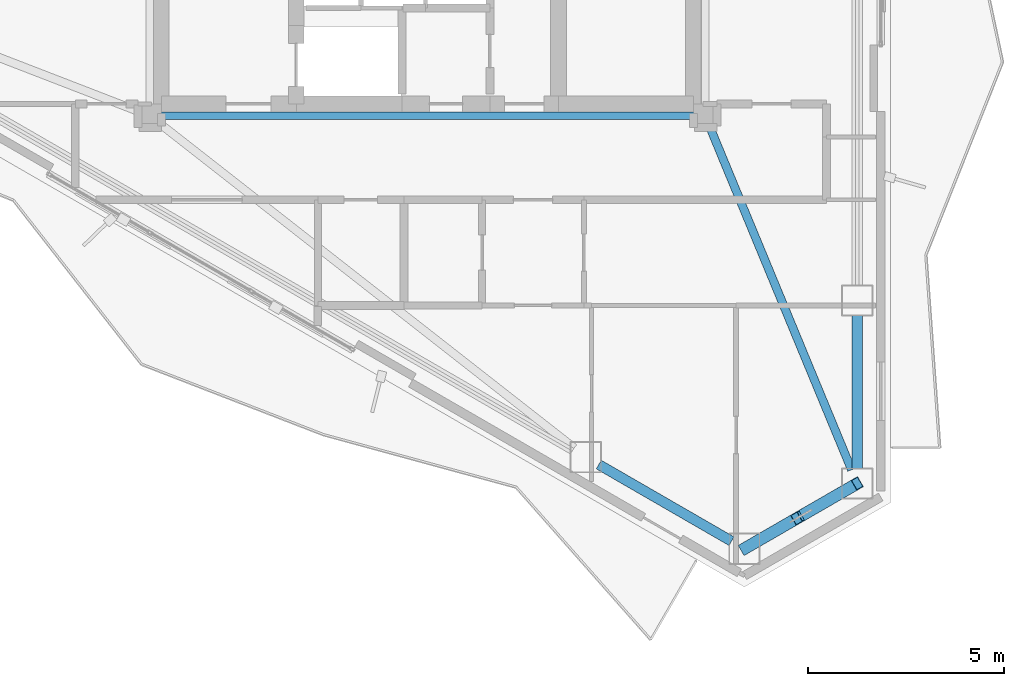
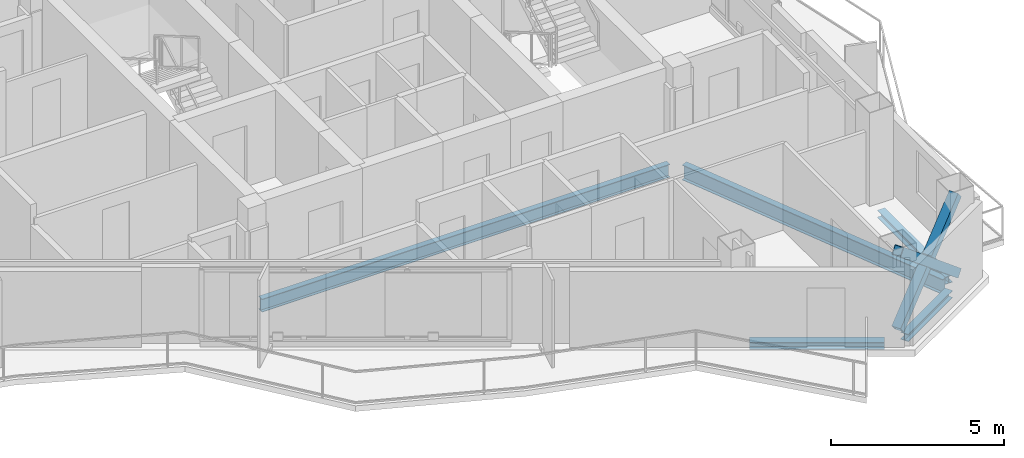
# One storey, part 5 of 22: 5 beams, 3 members.
"""IFC4 building model written with IfcOpenShell, lengths in metres."""

from ifc_helpers import new_model, si_unit, direction, frame, origin, origin_2d, place, context, subcontext, project, spatial, hollow_rectangle, i_section, extrude, material, material_profile, profile_set, type_object, element, save


model = new_model("IFC4")

# Units and contexts
model_context = context("Model", 3, precision=1e-05, world=origin(), true_north=direction((0.0, 1.0)))
body_context = subcontext(model_context, "Body", "Model", "MODEL_VIEW")
ifc_project = project(units=[si_unit("LENGTHUNIT", "METRE"), si_unit("AREAUNIT", "SQUARE_METRE"), si_unit("VOLUMEUNIT", "CUBIC_METRE"), si_unit("PLANEANGLEUNIT", "RADIAN"), si_unit("MASSUNIT", "GRAM", prefix="KILO")], contexts=[model_context])

# Site, building, storey
site_placement = place(None, origin())
site = spatial("IfcSite", under=ifc_project, at=site_placement, CompositionType="ELEMENT")
building_placement = place(site_placement, origin())
building = spatial("IfcBuilding", under=site, at=building_placement, Name="Mersakhor Tower and Convention Hall", CompositionType="ELEMENT")
storey_placement = place(building_placement, frame((0.0, 0.0, 195.300048828125)))
storey = spatial("IfcBuildingStorey", under=building, at=storey_placement, Name="L54", CompositionType="ELEMENT", Elevation=195.300048828125)

# Beams
ifc_material_1 = material(Name="Steel S355", Category="steel")
ifc_material_profile_1 = material_profile(ifc_material_1, i_section(OverallWidth=0.19140625, OverallDepth=0.4599609375, WebThickness=0.010009765625, FlangeThickness=0.01611328125, at=origin_2d()), Name="UB 457x191x82")
ifc_profile_set_1 = profile_set([ifc_material_profile_1], Name="Steel S355")
beam_type_1 = type_object("IfcBeamType", Name="BM-FB-457", PredefinedType="BEAM", material=ifc_profile_set_1)
beam_1_placement = place(storey_placement, frame((35.820068359375, 20.449951171875, -0.4599609375), z_axis=(-1.0, 0.0, 0.0), x_axis=(0.0, -1.0, 0.0)))
element("IfcBeam", 1, at=beam_1_placement, inside=storey, type_object=beam_type_1, Name="L54 Core Ring Tie Beam CRB-4", PredefinedType="BEAM", context=body_context, shape_type="SweptSolid", body=[
    extrude(i_section(OverallWidth=0.19140625, OverallDepth=0.4599609375, WebThickness=0.010009765625, FlangeThickness=0.01611328125, at=origin_2d()), origin(), (0.0, 0.0, 1.0), 13.64013671875),
])
ifc_material_2 = material(Name="Steel S355", Category="steel")
ifc_material_profile_2 = material_profile(ifc_material_2, i_section(OverallWidth=0.2099609375, OverallDepth=0.53662109375, WebThickness=0.0107421875, FlangeThickness=0.017333984375, at=origin_2d()), Name="UB 533x210x101")
ifc_profile_set_2 = profile_set([ifc_material_profile_2], Name="Steel S355")
beam_type_2 = type_object("IfcBeamType", Name="BM-FB-533", PredefinedType="BEAM", material=ifc_profile_set_2)
beam_2_placement = place(storey_placement, frame((36.20703125, 20.19140625, -0.49853515625), z_axis=(0.382178028302, -0.924088715808, 0.0), x_axis=(0.924088715808, 0.382178028302, 0.0)))
element("IfcBeam", 2, at=beam_2_placement, inside=storey, type_object=beam_type_2, Name="L54 Primary Floor Girder FG-4", PredefinedType="BEAM", context=body_context, shape_type="SweptSolid", body=[
    extrude(i_section(OverallWidth=0.2099609375, OverallDepth=0.53662109375, WebThickness=0.0107421875, FlangeThickness=0.017333984375, at=origin_2d()), origin(), (0.0, 0.0, 1.0), 9.514404296875),
])
ifc_material_3 = material(Name="Steel S355", Category="steel")
ifc_material_profile_3 = material_profile(ifc_material_3, i_section(OverallWidth=0.25634765625, OverallDepth=0.26025390625, WebThickness=0.01025390625, FlangeThickness=0.017333984375, at=origin_2d()), Name="UC 254x254x89")
ifc_profile_set_3 = profile_set([ifc_material_profile_3], Name="Steel S355")
beam_type_3 = type_object("IfcBeamType", Name="BM-SPD-UC254", PredefinedType="SPANDREL", material=ifc_profile_set_3)
beam_3_placement = place(storey_placement, frame((39.98828125, 15.34716796875, -0.360107421875), z_axis=(0.0, -1.0, 0.0), x_axis=(1.0, 0.0, 0.0)))
element("IfcBeam", 3, at=beam_3_placement, inside=storey, type_object=beam_type_3, Name="L54 Perimeter Spandrel Beam SPB-07", PredefinedType="SPANDREL", context=body_context, shape_type="SweptSolid", body=[
    extrude(i_section(OverallWidth=0.25634765625, OverallDepth=0.26025390625, WebThickness=0.01025390625, FlangeThickness=0.017333984375, at=origin_2d()), origin(), (0.0, 0.0, 1.0), 3.919189453125),
])
beam_4_placement = place(storey_placement, frame((39.6591796875, 10.85791015625, -0.360107421875), z_axis=(-0.866036909293, -0.499980071345, 0.0), x_axis=(0.499980071345, -0.866036909293, 0.0)))
element("IfcBeam", 4, at=beam_4_placement, inside=storey, type_object=beam_type_3, Name="L54 Perimeter Spandrel Beam SPB-08", PredefinedType="SPANDREL", context=body_context, shape_type="SweptSolid", body=[
    extrude(i_section(OverallWidth=0.25634765625, OverallDepth=0.26025390625, WebThickness=0.01025390625, FlangeThickness=0.017333984375, at=origin_2d()), origin(), (0.0, 0.0, 1.0), 2.5703125),
])
beam_5_placement = place(storey_placement, frame((36.77490234375, 9.57275390625, -0.360107421875), z_axis=(-0.866007153761, 0.500031608635, 0.0), x_axis=(-0.500031608635, -0.866007153761, 0.0)))
element("IfcBeam", 5, at=beam_5_placement, inside=storey, type_object=beam_type_3, Name="L54 Perimeter Spandrel Beam SPB-09", PredefinedType="SPANDREL", context=body_context, shape_type="SweptSolid", body=[
    extrude(i_section(OverallWidth=0.25634765625, OverallDepth=0.26025390625, WebThickness=0.01025390625, FlangeThickness=0.017333984375, at=origin_2d()), origin(), (0.0, 0.0, 1.0), 3.919189453125),
])

# Members
ifc_material_4 = material(Name="Steel S355", Category="steel")
ifc_material_profile_4 = material_profile(ifc_material_4, hollow_rectangle(XDim=0.300048828125, YDim=0.300048828125, WallThickness=0.01611328125, at=origin_2d()), Name="SHS 300x300x16")
ifc_profile_set_4 = profile_set([ifc_material_profile_4], Name="Steel S355")
member_type = type_object("IfcMemberType", Name="MB-BRC-SHS300", PredefinedType="BRACE", material=ifc_profile_set_4)
member_1_placement = place(storey_placement, frame((39.98828125, 11.048095703125, 0.14990234375), z_axis=(-0.665824923443, -0.384424564314, 0.639448923429), x_axis=(0.50001011158, -0.866019565782, 0.0)))
element("IfcMember", 6, at=member_1_placement, inside=storey, type_object=member_type, Name="L54 Chamfer Braced Frame Diagonal CB-2A", PredefinedType="BRACE", context=body_context, shape_type="SweptSolid", body=[
    extrude(hollow_rectangle(XDim=0.300048828125, YDim=0.300048828125, WallThickness=0.01611328125, at=origin_2d()), origin(), (0.0, 0.0, 1.0), 4.331787109375),
])
member_2_placement = place(storey_placement, frame((37.10400390625, 9.3828125, 0.14990234375), z_axis=(0.665779245823, 0.384445210881, 0.639484069905), x_axis=(-0.50005597947, 0.86599308161, 0.0)))
element("IfcMember", 7, at=member_2_placement, inside=storey, type_object=member_type, Name="L54 Chamfer Braced Frame Diagonal CB-2B Lower Half", PredefinedType="BRACE", context=body_context, shape_type="SweptSolid", body=[
    extrude(hollow_rectangle(XDim=0.300048828125, YDim=0.300048828125, WallThickness=0.01611328125, at=origin_2d()), origin(), (0.0, 0.0, 1.0), 2.00537109375),
])
member_3_placement = place(storey_placement, frame((38.6533203125, 10.277099609375, 1.6376953125), z_axis=(0.665763296387, 0.384506307606, 0.639463941592), x_axis=(-0.500124558158, 0.865953478154, 0.0)))
element("IfcMember", 8, at=member_3_placement, inside=storey, type_object=member_type, Name="L54 Chamfer Braced Frame Diagonal CB-2B Upper Half", PredefinedType="BRACE", context=body_context, shape_type="SweptSolid", body=[
    extrude(hollow_rectangle(XDim=0.300048828125, YDim=0.300048828125, WallThickness=0.01611328125, at=origin_2d()), origin(), (0.0, 0.0, 1.0), 2.005126953125),
])

save(model, "model.ifc")
